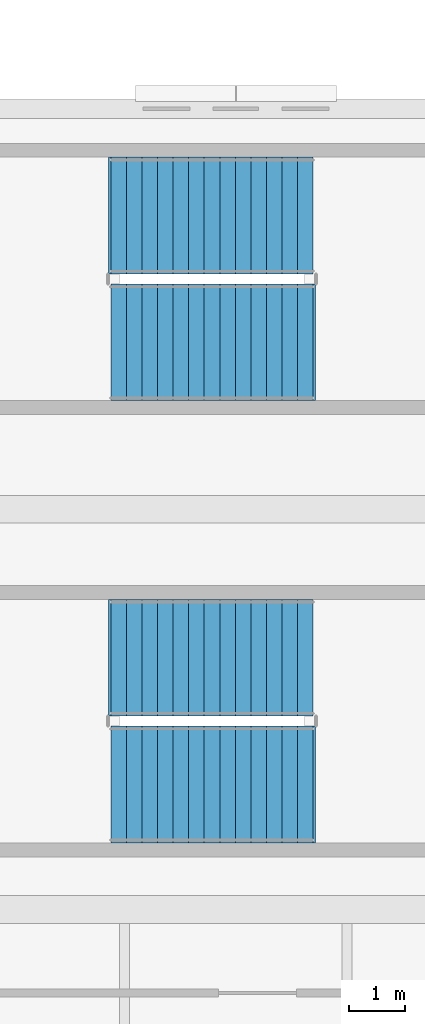
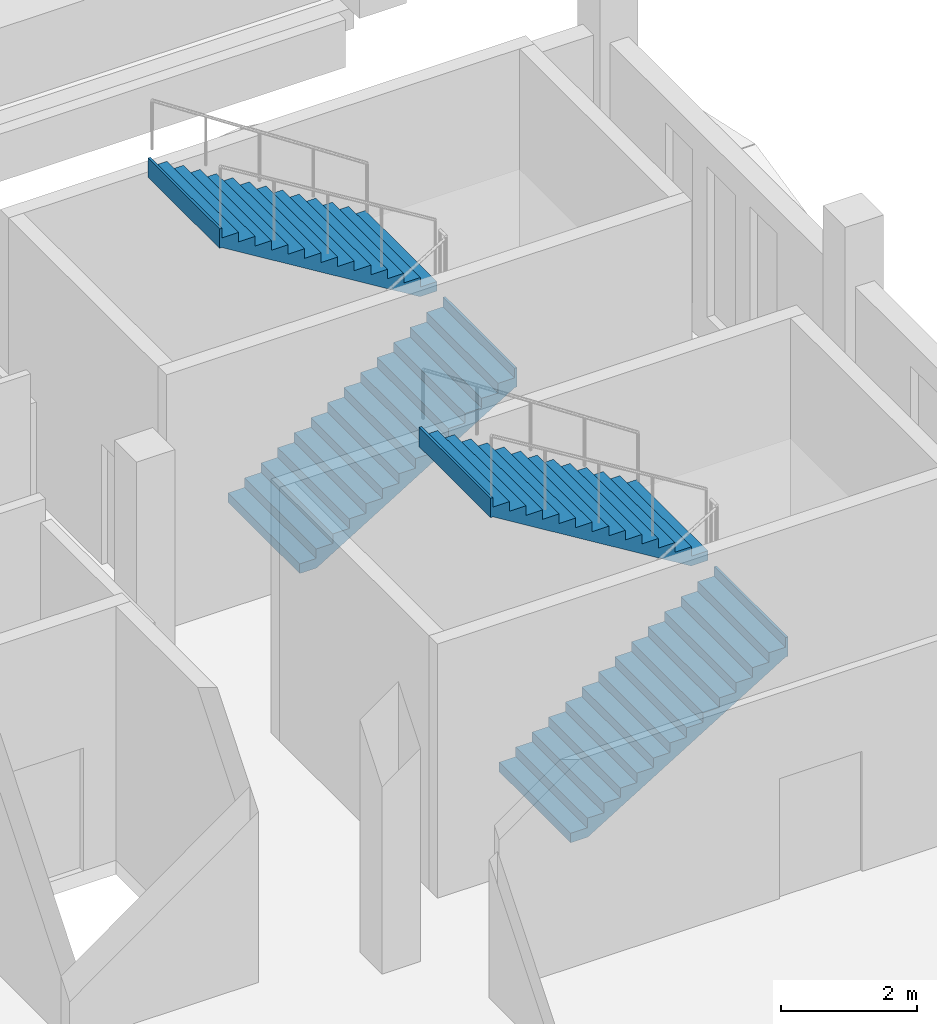
# One storey, part 102 of 116: 4 stair flights, 2 elements without a shape of their own.
"""IFC4 building model written with IfcOpenShell, lengths in metres."""

from ifc_helpers import new_model, si_unit, direction, frame, origin, place, context, subcontext, project, spatial, triangles, material, type_object, element, aggregate, save


model = new_model("IFC4")

# Units and contexts
model_context = context("Model", 3, precision=1e-05, world=origin(), true_north=direction((0.0, 1.0)))
body_context = subcontext(model_context, "Body", "Model", "MODEL_VIEW")
ifc_project = project(units=[si_unit("LENGTHUNIT", "METRE"), si_unit("AREAUNIT", "SQUARE_METRE"), si_unit("VOLUMEUNIT", "CUBIC_METRE"), si_unit("PLANEANGLEUNIT", "RADIAN"), si_unit("MASSUNIT", "GRAM", prefix="KILO")], contexts=[model_context])

# Site, building, storey
site_placement = place(None, origin())
site = spatial("IfcSite", under=ifc_project, at=site_placement, CompositionType="ELEMENT")
building_placement = place(site_placement, origin())
building = spatial("IfcBuilding", under=site, at=building_placement, Name="Cendralis Lancet Convention Centre", CompositionType="ELEMENT")
storey_placement = place(building_placement, frame((0.0, 0.0, 15.0)))
storey = spatial("IfcBuildingStorey", under=building, at=storey_placement, Name="L03", CompositionType="ELEMENT", Elevation=15.0)

# Stair, stair flights
ifc_material = material(Name="Concrete G35 (C35/45)", Category="concrete")
stair_type = type_object("IfcStairType", Name="ARC-ST-CORE", PredefinedType="HALF_TURN_STAIR", material=ifc_material)
stair_1_placement = place(storey_placement, origin())
stair_1 = element("IfcStair", 1, at=stair_1_placement, inside=storey, type_object=stair_type, Name="L03 Protected Exit Stair ST-15", PredefinedType="HALF_TURN_STAIR")
stair_flight_type = type_object("IfcStairFlightType", Name="ARC-SF-CORE", PredefinedType="STRAIGHT", material=ifc_material)
stair_flight_1_placement = place(storey_placement, frame((200.550048828125, 23.85009765625, 0.0), z_axis=(0.0, 0.0, 1.0), x_axis=(1.0, 0.0, 0.0)))
stair_flight_1 = element("IfcStairFlight", 2, at=stair_flight_1_placement, type_object=stair_flight_type, Name="ST-15 flight 1", NumberOfRisers=14, NumberOfTreads=13, PredefinedType="STRAIGHT", RiserHeight=0.171428571, TreadLength=0.28, context=body_context, shape_type="Tessellation", body=[
    triangles([(0.0, 0.0, 0.085714), (0.0, 1.050049, 0.0), (0.0, -1.050049, 0.0), (0.0, -1.050049, 0.171429), (0.0, 1.050049, 0.171429), (0.14, 0.0, 0.171429), (0.28, -1.050049, 0.171429), (0.28, 1.050049, 0.171429), (0.14, 0.0, 0.0), (0.28, -1.050049, 0.0), (0.28, 1.050049, 0.0), (0.28, 0.0, 0.257143), (0.28, -1.050049, 0.342857), (0.28, 1.050049, 0.342857), (0.283543, 0.0, 0.342857), (0.287085, -1.050049, 0.342857), (0.287085, 1.050049, 0.342857), (0.283543, 0.0, 0.0), (0.287085, -1.050049, 0.0), (0.287085, 1.050049, 0.0), (0.423543, 0.0, 0.342857), (0.56, -1.050049, 0.342857), (0.56, 1.050049, 0.342857), (0.423543, 0.0, 0.083545), (0.56, -1.050049, 0.167091), (0.56, 1.050049, 0.167091), (0.56, 0.0, 0.428572), (0.56, -1.050049, 0.514286), (0.56, 1.050049, 0.514286), (0.7, 0.0, 0.514286), (0.84, -1.050049, 0.514286), (0.84, 1.050049, 0.514286), (0.7, 0.0, 0.252806), (0.84, -1.050049, 0.33852), (0.84, 1.050049, 0.33852), (0.84, 0.0, 0.6), (0.84, -1.050049, 0.685714), (0.84, 1.050049, 0.685714), (0.98, 0.0, 0.685714), (1.12, -1.050049, 0.685714), (1.12, 1.050049, 0.685714), (0.98, 0.0, 0.424234), (1.12, -1.050049, 0.509948), (1.12, 1.050049, 0.509948), (1.12, 0.0, 0.771429), (1.12, -1.050049, 0.857143), (1.12, 1.050049, 0.857143), (1.26, 0.0, 0.857143), (1.4, -1.050049, 0.857143), (1.4, 1.050049, 0.857143), (1.26, 0.0, 0.595662), (1.4, -1.050049, 0.681377), (1.4, 1.050049, 0.681377), (1.4, 0.0, 0.942857), (1.4, -1.050049, 1.028571), (1.4, 1.050049, 1.028571), (1.54, 0.0, 1.028571), (1.68, -1.050049, 1.028571), (1.68, 1.050049, 1.028571), (1.54, 0.0, 0.767091), (1.68, -1.050049, 0.852805), (1.68, 1.050049, 0.852805), (1.68, 0.0, 1.114286), (1.68, -1.050049, 1.2), (1.68, 1.050049, 1.2), (1.82, 0.0, 1.2), (1.96, -1.050049, 1.2), (1.96, 1.050049, 1.2), (1.82, 0.0, 0.938519), (1.96, -1.050049, 1.024234), (1.96, 1.050049, 1.024234), (1.96, 0.0, 1.285715), (1.96, -1.050049, 1.371429), (1.96, 1.050049, 1.371429), (2.1, 0.0, 1.371429), (2.24, -1.050049, 1.371429), (2.24, 1.050049, 1.371429), (2.1, 0.0, 1.109948), (2.24, -1.050049, 1.195662), (2.24, 1.050049, 1.195662), (2.24, 0.0, 1.457143), (2.24, -1.050049, 1.542857), (2.24, 1.050049, 1.542857), (2.38, 0.0, 1.542857), (2.52, -1.050049, 1.542857), (2.52, 1.050049, 1.542857), (2.38, 0.0, 1.281376), (2.52, -1.050049, 1.367091), (2.52, 1.050049, 1.367091), (2.52, 0.0, 1.628572), (2.52, -1.050049, 1.714286), (2.52, 1.050049, 1.714286), (2.66, 0.0, 1.714286), (2.8, -1.050049, 1.714286), (2.8, 1.050049, 1.714286), (2.66, 0.0, 1.452806), (2.8, -1.050049, 1.53852), (2.8, 1.050049, 1.53852), (2.8, 0.0, 1.8), (2.8, -1.050049, 1.885714), (2.8, 1.050049, 1.885714), (2.94, 0.0, 1.885714), (3.08, -1.050049, 1.885714), (3.08, 1.050049, 1.885714), (2.94, 0.0, 1.624234), (3.08, -1.050049, 1.709948), (3.08, 1.050049, 1.709948), (3.08, 0.0, 1.971429), (3.08, -1.050049, 2.057143), (3.08, 1.050049, 2.057143), (3.22, 0.0, 2.057143), (3.36, -1.050049, 2.057143), (3.36, 1.050049, 2.057143), (3.22, 0.0, 1.795663), (3.36, -1.050049, 1.881377), (3.36, 1.050049, 1.881377), (3.36, 0.0, 2.142857), (3.36, -1.050049, 2.228571), (3.36, 1.050049, 2.228571), (3.5, 0.0, 2.228571), (3.64, -1.050049, 2.228571), (3.64, 1.050049, 2.228571), (3.5, 0.0, 1.967091), (3.64, -1.050049, 2.052805), (3.64, 1.050049, 2.052805), (3.64, 0.0, 2.314285), (3.64, -1.050049, 2.4), (3.64, 1.050049, 2.4), (3.66, 0.0, 2.4), (3.68, -1.050049, 2.4), (3.68, 1.050049, 2.4), (3.66, 0.0, 2.052805), (3.68, -1.050049, 2.052805), (3.68, 1.050049, 2.052805), (3.68, 0.0, 2.226403)], [[2, 3, 1], [3, 4, 1], [4, 5, 1], [5, 2, 1], [4, 7, 6], [7, 8, 6], [8, 5, 6], [5, 4, 6], [10, 3, 9], [3, 2, 9], [2, 11, 9], [11, 10, 9], [3, 10, 7], [3, 7, 4], [2, 8, 11], [2, 5, 8], [8, 7, 12], [7, 13, 12], [13, 14, 12], [14, 8, 12], [13, 16, 15], [16, 17, 15], [17, 14, 15], [14, 13, 15], [19, 10, 18], [10, 11, 18], [11, 20, 18], [20, 19, 18], [10, 19, 16], [10, 16, 7], [7, 16, 13], [11, 17, 20], [11, 8, 17], [8, 14, 17], [16, 22, 21], [22, 23, 21], [23, 17, 21], [17, 16, 21], [25, 19, 24], [19, 20, 24], [20, 26, 24], [26, 25, 24], [19, 25, 22], [19, 22, 16], [20, 23, 26], [20, 17, 23], [23, 22, 27], [22, 28, 27], [28, 29, 27], [29, 23, 27], [28, 31, 30], [31, 32, 30], [32, 29, 30], [29, 28, 30], [34, 25, 33], [25, 26, 33], [26, 35, 33], [35, 34, 33], [25, 34, 31], [25, 31, 22], [22, 31, 28], [26, 32, 35], [26, 23, 32], [23, 29, 32], [32, 31, 36], [31, 37, 36], [37, 38, 36], [38, 32, 36], [37, 40, 39], [40, 41, 39], [41, 38, 39], [38, 37, 39], [43, 34, 42], [34, 35, 42], [35, 44, 42], [44, 43, 42], [34, 43, 40], [34, 40, 31], [31, 40, 37], [35, 41, 44], [35, 32, 41], [32, 38, 41], [41, 40, 45], [40, 46, 45], [46, 47, 45], [47, 41, 45], [46, 49, 48], [49, 50, 48], [50, 47, 48], [47, 46, 48], [52, 43, 51], [43, 44, 51], [44, 53, 51], [53, 52, 51], [43, 52, 49], [43, 49, 40], [40, 49, 46], [44, 50, 53], [44, 41, 50], [41, 47, 50], [50, 49, 54], [49, 55, 54], [55, 56, 54], [56, 50, 54], [55, 58, 57], [58, 59, 57], [59, 56, 57], [56, 55, 57], [61, 52, 60], [52, 53, 60], [53, 62, 60], [62, 61, 60], [52, 61, 58], [52, 58, 49], [49, 58, 55], [53, 59, 62], [53, 50, 59], [50, 56, 59], [59, 58, 63], [58, 64, 63], [64, 65, 63], [65, 59, 63], [64, 67, 66], [67, 68, 66], [68, 65, 66], [65, 64, 66], [70, 61, 69], [61, 62, 69], [62, 71, 69], [71, 70, 69], [61, 70, 67], [61, 67, 58], [58, 67, 64], [62, 68, 71], [62, 59, 68], [59, 65, 68], [68, 67, 72], [67, 73, 72], [73, 74, 72], [74, 68, 72], [73, 76, 75], [76, 77, 75], [77, 74, 75], [74, 73, 75], [79, 70, 78], [70, 71, 78], [71, 80, 78], [80, 79, 78], [70, 79, 76], [70, 76, 67], [67, 76, 73], [71, 77, 80], [71, 68, 77], [68, 74, 77], [77, 76, 81], [76, 82, 81], [82, 83, 81], [83, 77, 81], [82, 85, 84], [85, 86, 84], [86, 83, 84], [83, 82, 84], [88, 79, 87], [79, 80, 87], [80, 89, 87], [89, 88, 87], [79, 88, 85], [79, 85, 76], [76, 85, 82], [80, 86, 89], [80, 77, 86], [77, 83, 86], [86, 85, 90], [85, 91, 90], [91, 92, 90], [92, 86, 90], [91, 94, 93], [94, 95, 93], [95, 92, 93], [92, 91, 93], [97, 88, 96], [88, 89, 96], [89, 98, 96], [98, 97, 96], [88, 97, 94], [88, 94, 85], [85, 94, 91], [89, 95, 98], [89, 86, 95], [86, 92, 95], [95, 94, 99], [94, 100, 99], [100, 101, 99], [101, 95, 99], [100, 103, 102], [103, 104, 102], [104, 101, 102], [101, 100, 102], [106, 97, 105], [97, 98, 105], [98, 107, 105], [107, 106, 105], [97, 106, 103], [97, 103, 94], [94, 103, 100], [98, 104, 107], [98, 95, 104], [95, 101, 104], [104, 103, 108], [103, 109, 108], [109, 110, 108], [110, 104, 108], [109, 112, 111], [112, 113, 111], [113, 110, 111], [110, 109, 111], [115, 106, 114], [106, 107, 114], [107, 116, 114], [116, 115, 114], [106, 115, 112], [106, 112, 103], [103, 112, 109], [107, 113, 116], [107, 104, 113], [104, 110, 113], [113, 112, 117], [112, 118, 117], [118, 119, 117], [119, 113, 117], [118, 121, 120], [121, 122, 120], [122, 119, 120], [119, 118, 120], [124, 115, 123], [115, 116, 123], [116, 125, 123], [125, 124, 123], [115, 124, 121], [115, 121, 112], [112, 121, 118], [116, 122, 125], [116, 113, 122], [113, 119, 122], [122, 121, 126], [121, 127, 126], [127, 128, 126], [128, 122, 126], [127, 130, 129], [130, 131, 129], [131, 128, 129], [128, 127, 129], [133, 124, 132], [124, 125, 132], [125, 134, 132], [134, 133, 132], [124, 133, 130], [124, 130, 121], [121, 130, 127], [125, 131, 134], [125, 122, 131], [122, 128, 131], [133, 134, 135], [134, 131, 135], [131, 130, 135], [130, 133, 135]], closed=True),
])
stair_flight_2_placement = place(storey_placement, frame((204.18994140625, 26.1298828125, 2.39990234375), z_axis=(0.0, 0.0, 1.0), x_axis=(-1.0, 0.0, 0.0)))
stair_flight_2 = element("IfcStairFlight", 3, at=stair_flight_2_placement, type_object=stair_flight_type, Name="ST-15 flight 2", NumberOfRisers=14, NumberOfTreads=13, PredefinedType="STRAIGHT", RiserHeight=0.171428571, TreadLength=0.28, context=body_context, shape_type="Tessellation", body=[
    triangles([(0.0, 0.0, 0.085714), (0.0, 1.050049, 0.0), (0.0, -1.050049, 0.0), (0.0, -1.050049, 0.171429), (0.0, 1.050049, 0.171429), (0.14, 0.0, 0.171429), (0.28, -1.050049, 0.171429), (0.28, 1.050049, 0.171429), (0.14, 0.0, 0.0), (0.28, -1.050049, 0.0), (0.28, 1.050049, 0.0), (0.28, 0.0, 0.257143), (0.28, -1.050049, 0.342857), (0.28, 1.050049, 0.342857), (0.283543, 0.0, 0.342857), (0.287085, -1.050049, 0.342857), (0.287085, 1.050049, 0.342857), (0.283543, 0.0, 0.0), (0.287085, -1.050049, 0.0), (0.287085, 1.050049, 0.0), (0.423543, 0.0, 0.342857), (0.56, -1.050049, 0.342857), (0.56, 1.050049, 0.342857), (0.423543, 0.0, 0.083545), (0.56, -1.050049, 0.167091), (0.56, 1.050049, 0.167091), (0.56, 0.0, 0.428572), (0.56, -1.050049, 0.514286), (0.56, 1.050049, 0.514286), (0.7, 0.0, 0.514286), (0.84, -1.050049, 0.514286), (0.84, 1.050049, 0.514286), (0.7, 0.0, 0.252806), (0.84, -1.050049, 0.33852), (0.84, 1.050049, 0.33852), (0.84, 0.0, 0.6), (0.84, -1.050049, 0.685714), (0.84, 1.050049, 0.685714), (0.98, 0.0, 0.685714), (1.12, -1.050049, 0.685714), (1.12, 1.050049, 0.685714), (0.98, 0.0, 0.424234), (1.12, -1.050049, 0.509948), (1.12, 1.050049, 0.509948), (1.12, 0.0, 0.771429), (1.12, -1.050049, 0.857143), (1.12, 1.050049, 0.857143), (1.26, 0.0, 0.857143), (1.4, -1.050049, 0.857143), (1.4, 1.050049, 0.857143), (1.26, 0.0, 0.595662), (1.4, -1.050049, 0.681377), (1.4, 1.050049, 0.681377), (1.4, 0.0, 0.942857), (1.4, -1.050049, 1.028571), (1.4, 1.050049, 1.028571), (1.54, 0.0, 1.028571), (1.68, -1.050049, 1.028571), (1.68, 1.050049, 1.028571), (1.54, 0.0, 0.767091), (1.68, -1.050049, 0.852805), (1.68, 1.050049, 0.852805), (1.68, 0.0, 1.114286), (1.68, -1.050049, 1.2), (1.68, 1.050049, 1.2), (1.82, 0.0, 1.2), (1.96, -1.050049, 1.2), (1.96, 1.050049, 1.2), (1.82, 0.0, 0.938519), (1.96, -1.050049, 1.024234), (1.96, 1.050049, 1.024234), (1.96, 0.0, 1.285715), (1.96, -1.050049, 1.371429), (1.96, 1.050049, 1.371429), (2.1, 0.0, 1.371429), (2.24, -1.050049, 1.371429), (2.24, 1.050049, 1.371429), (2.1, 0.0, 1.109948), (2.24, -1.050049, 1.195662), (2.24, 1.050049, 1.195662), (2.24, 0.0, 1.457143), (2.24, -1.050049, 1.542857), (2.24, 1.050049, 1.542857), (2.38, 0.0, 1.542857), (2.52, -1.050049, 1.542857), (2.52, 1.050049, 1.542857), (2.38, 0.0, 1.281376), (2.52, -1.050049, 1.367091), (2.52, 1.050049, 1.367091), (2.52, 0.0, 1.628572), (2.52, -1.050049, 1.714286), (2.52, 1.050049, 1.714286), (2.66, 0.0, 1.714286), (2.8, -1.050049, 1.714286), (2.8, 1.050049, 1.714286), (2.66, 0.0, 1.452806), (2.8, -1.050049, 1.53852), (2.8, 1.050049, 1.53852), (2.8, 0.0, 1.8), (2.8, -1.050049, 1.885714), (2.8, 1.050049, 1.885714), (2.94, 0.0, 1.885714), (3.08, -1.050049, 1.885714), (3.08, 1.050049, 1.885714), (2.94, 0.0, 1.624234), (3.08, -1.050049, 1.709948), (3.08, 1.050049, 1.709948), (3.08, 0.0, 1.971429), (3.08, -1.050049, 2.057143), (3.08, 1.050049, 2.057143), (3.22, 0.0, 2.057143), (3.36, -1.050049, 2.057143), (3.36, 1.050049, 2.057143), (3.22, 0.0, 1.795663), (3.36, -1.050049, 1.881377), (3.36, 1.050049, 1.881377), (3.36, 0.0, 2.142857), (3.36, -1.050049, 2.228571), (3.36, 1.050049, 2.228571), (3.5, 0.0, 2.228571), (3.64, -1.050049, 2.228571), (3.64, 1.050049, 2.228571), (3.5, 0.0, 1.967091), (3.64, -1.050049, 2.052805), (3.64, 1.050049, 2.052805), (3.64, 0.0, 2.314285), (3.64, -1.050049, 2.4), (3.64, 1.050049, 2.4), (3.66, 0.0, 2.4), (3.68, -1.050049, 2.4), (3.68, 1.050049, 2.4), (3.66, 0.0, 2.052805), (3.68, -1.050049, 2.052805), (3.68, 1.050049, 2.052805), (3.68, 0.0, 2.226403)], [[2, 3, 1], [3, 4, 1], [4, 5, 1], [5, 2, 1], [4, 7, 6], [7, 8, 6], [8, 5, 6], [5, 4, 6], [10, 3, 9], [3, 2, 9], [2, 11, 9], [11, 10, 9], [3, 10, 7], [3, 7, 4], [2, 8, 11], [2, 5, 8], [8, 7, 12], [7, 13, 12], [13, 14, 12], [14, 8, 12], [13, 16, 15], [16, 17, 15], [17, 14, 15], [14, 13, 15], [19, 10, 18], [10, 11, 18], [11, 20, 18], [20, 19, 18], [10, 19, 16], [10, 16, 7], [7, 16, 13], [11, 17, 20], [11, 8, 17], [8, 14, 17], [16, 22, 21], [22, 23, 21], [23, 17, 21], [17, 16, 21], [25, 19, 24], [19, 20, 24], [20, 26, 24], [26, 25, 24], [19, 25, 22], [19, 22, 16], [20, 23, 26], [20, 17, 23], [23, 22, 27], [22, 28, 27], [28, 29, 27], [29, 23, 27], [28, 31, 30], [31, 32, 30], [32, 29, 30], [29, 28, 30], [34, 25, 33], [25, 26, 33], [26, 35, 33], [35, 34, 33], [25, 34, 31], [25, 31, 22], [22, 31, 28], [26, 32, 35], [26, 23, 32], [23, 29, 32], [32, 31, 36], [31, 37, 36], [37, 38, 36], [38, 32, 36], [37, 40, 39], [40, 41, 39], [41, 38, 39], [38, 37, 39], [43, 34, 42], [34, 35, 42], [35, 44, 42], [44, 43, 42], [34, 43, 40], [34, 40, 31], [31, 40, 37], [35, 41, 44], [35, 32, 41], [32, 38, 41], [41, 40, 45], [40, 46, 45], [46, 47, 45], [47, 41, 45], [46, 49, 48], [49, 50, 48], [50, 47, 48], [47, 46, 48], [52, 43, 51], [43, 44, 51], [44, 53, 51], [53, 52, 51], [43, 52, 49], [43, 49, 40], [40, 49, 46], [44, 50, 53], [44, 41, 50], [41, 47, 50], [50, 49, 54], [49, 55, 54], [55, 56, 54], [56, 50, 54], [55, 58, 57], [58, 59, 57], [59, 56, 57], [56, 55, 57], [61, 52, 60], [52, 53, 60], [53, 62, 60], [62, 61, 60], [52, 61, 58], [52, 58, 49], [49, 58, 55], [53, 59, 62], [53, 50, 59], [50, 56, 59], [59, 58, 63], [58, 64, 63], [64, 65, 63], [65, 59, 63], [64, 67, 66], [67, 68, 66], [68, 65, 66], [65, 64, 66], [70, 61, 69], [61, 62, 69], [62, 71, 69], [71, 70, 69], [61, 70, 67], [61, 67, 58], [58, 67, 64], [62, 68, 71], [62, 59, 68], [59, 65, 68], [68, 67, 72], [67, 73, 72], [73, 74, 72], [74, 68, 72], [73, 76, 75], [76, 77, 75], [77, 74, 75], [74, 73, 75], [79, 70, 78], [70, 71, 78], [71, 80, 78], [80, 79, 78], [70, 79, 76], [70, 76, 67], [67, 76, 73], [71, 77, 80], [71, 68, 77], [68, 74, 77], [77, 76, 81], [76, 82, 81], [82, 83, 81], [83, 77, 81], [82, 85, 84], [85, 86, 84], [86, 83, 84], [83, 82, 84], [88, 79, 87], [79, 80, 87], [80, 89, 87], [89, 88, 87], [79, 88, 85], [79, 85, 76], [76, 85, 82], [80, 86, 89], [80, 77, 86], [77, 83, 86], [86, 85, 90], [85, 91, 90], [91, 92, 90], [92, 86, 90], [91, 94, 93], [94, 95, 93], [95, 92, 93], [92, 91, 93], [97, 88, 96], [88, 89, 96], [89, 98, 96], [98, 97, 96], [88, 97, 94], [88, 94, 85], [85, 94, 91], [89, 95, 98], [89, 86, 95], [86, 92, 95], [95, 94, 99], [94, 100, 99], [100, 101, 99], [101, 95, 99], [100, 103, 102], [103, 104, 102], [104, 101, 102], [101, 100, 102], [106, 97, 105], [97, 98, 105], [98, 107, 105], [107, 106, 105], [97, 106, 103], [97, 103, 94], [94, 103, 100], [98, 104, 107], [98, 95, 104], [95, 101, 104], [104, 103, 108], [103, 109, 108], [109, 110, 108], [110, 104, 108], [109, 112, 111], [112, 113, 111], [113, 110, 111], [110, 109, 111], [115, 106, 114], [106, 107, 114], [107, 116, 114], [116, 115, 114], [106, 115, 112], [106, 112, 103], [103, 112, 109], [107, 113, 116], [107, 104, 113], [104, 110, 113], [113, 112, 117], [112, 118, 117], [118, 119, 117], [119, 113, 117], [118, 121, 120], [121, 122, 120], [122, 119, 120], [119, 118, 120], [124, 115, 123], [115, 116, 123], [116, 125, 123], [125, 124, 123], [115, 124, 121], [115, 121, 112], [112, 121, 118], [116, 122, 125], [116, 113, 122], [113, 119, 122], [122, 121, 126], [121, 127, 126], [127, 128, 126], [128, 122, 126], [127, 130, 129], [130, 131, 129], [131, 128, 129], [128, 127, 129], [133, 124, 132], [124, 125, 132], [125, 134, 132], [134, 133, 132], [124, 133, 130], [124, 130, 121], [121, 130, 127], [125, 131, 134], [125, 122, 131], [122, 128, 131], [133, 134, 135], [134, 131, 135], [131, 130, 135], [130, 133, 135]], closed=True),
])
aggregate(stair_1, [stair_flight_1, stair_flight_2])

stair_2_placement = place(storey_placement, origin())
stair_2 = element("IfcStair", 4, at=stair_2_placement, inside=storey, type_object=stair_type, Name="L03 Protected Exit Stair ST-16", PredefinedType="HALF_TURN_STAIR")
stair_flight_3_placement = place(storey_placement, frame((200.550048828125, 31.800048828125, 0.0), z_axis=(0.0, 0.0, 1.0), x_axis=(1.0, 0.0, 0.0)))
stair_flight_3 = element("IfcStairFlight", 5, at=stair_flight_3_placement, type_object=stair_flight_type, Name="ST-16 flight 1", NumberOfRisers=14, NumberOfTreads=13, PredefinedType="STRAIGHT", RiserHeight=0.171428571, TreadLength=0.28, context=body_context, shape_type="Tessellation", body=[
    triangles([(0.0, 0.0, 0.085714), (0.0, 1.050049, 0.0), (0.0, -1.050049, 0.0), (0.0, -1.050049, 0.171429), (0.0, 1.050049, 0.171429), (0.14, 0.0, 0.171429), (0.28, -1.050049, 0.171429), (0.28, 1.050049, 0.171429), (0.14, 0.0, 0.0), (0.28, -1.050049, 0.0), (0.28, 1.050049, 0.0), (0.28, 0.0, 0.257143), (0.28, -1.050049, 0.342857), (0.28, 1.050049, 0.342857), (0.283543, 0.0, 0.342857), (0.287085, -1.050049, 0.342857), (0.287085, 1.050049, 0.342857), (0.283543, 0.0, 0.0), (0.287085, -1.050049, 0.0), (0.287085, 1.050049, 0.0), (0.423543, 0.0, 0.342857), (0.56, -1.050049, 0.342857), (0.56, 1.050049, 0.342857), (0.423543, 0.0, 0.083545), (0.56, -1.050049, 0.167091), (0.56, 1.050049, 0.167091), (0.56, 0.0, 0.428572), (0.56, -1.050049, 0.514286), (0.56, 1.050049, 0.514286), (0.7, 0.0, 0.514286), (0.84, -1.050049, 0.514286), (0.84, 1.050049, 0.514286), (0.7, 0.0, 0.252806), (0.84, -1.050049, 0.33852), (0.84, 1.050049, 0.33852), (0.84, 0.0, 0.6), (0.84, -1.050049, 0.685714), (0.84, 1.050049, 0.685714), (0.98, 0.0, 0.685714), (1.12, -1.050049, 0.685714), (1.12, 1.050049, 0.685714), (0.98, 0.0, 0.424234), (1.12, -1.050049, 0.509948), (1.12, 1.050049, 0.509948), (1.12, 0.0, 0.771429), (1.12, -1.050049, 0.857143), (1.12, 1.050049, 0.857143), (1.26, 0.0, 0.857143), (1.4, -1.050049, 0.857143), (1.4, 1.050049, 0.857143), (1.26, 0.0, 0.595662), (1.4, -1.050049, 0.681377), (1.4, 1.050049, 0.681377), (1.4, 0.0, 0.942857), (1.4, -1.050049, 1.028571), (1.4, 1.050049, 1.028571), (1.54, 0.0, 1.028571), (1.68, -1.050049, 1.028571), (1.68, 1.050049, 1.028571), (1.54, 0.0, 0.767091), (1.68, -1.050049, 0.852805), (1.68, 1.050049, 0.852805), (1.68, 0.0, 1.114286), (1.68, -1.050049, 1.2), (1.68, 1.050049, 1.2), (1.82, 0.0, 1.2), (1.96, -1.050049, 1.2), (1.96, 1.050049, 1.2), (1.82, 0.0, 0.938519), (1.96, -1.050049, 1.024234), (1.96, 1.050049, 1.024234), (1.96, 0.0, 1.285715), (1.96, -1.050049, 1.371429), (1.96, 1.050049, 1.371429), (2.1, 0.0, 1.371429), (2.24, -1.050049, 1.371429), (2.24, 1.050049, 1.371429), (2.1, 0.0, 1.109948), (2.24, -1.050049, 1.195662), (2.24, 1.050049, 1.195662), (2.24, 0.0, 1.457143), (2.24, -1.050049, 1.542857), (2.24, 1.050049, 1.542857), (2.38, 0.0, 1.542857), (2.52, -1.050049, 1.542857), (2.52, 1.050049, 1.542857), (2.38, 0.0, 1.281376), (2.52, -1.050049, 1.367091), (2.52, 1.050049, 1.367091), (2.52, 0.0, 1.628572), (2.52, -1.050049, 1.714286), (2.52, 1.050049, 1.714286), (2.66, 0.0, 1.714286), (2.8, -1.050049, 1.714286), (2.8, 1.050049, 1.714286), (2.66, 0.0, 1.452806), (2.8, -1.050049, 1.53852), (2.8, 1.050049, 1.53852), (2.8, 0.0, 1.8), (2.8, -1.050049, 1.885714), (2.8, 1.050049, 1.885714), (2.94, 0.0, 1.885714), (3.08, -1.050049, 1.885714), (3.08, 1.050049, 1.885714), (2.94, 0.0, 1.624234), (3.08, -1.050049, 1.709948), (3.08, 1.050049, 1.709948), (3.08, 0.0, 1.971429), (3.08, -1.050049, 2.057143), (3.08, 1.050049, 2.057143), (3.22, 0.0, 2.057143), (3.36, -1.050049, 2.057143), (3.36, 1.050049, 2.057143), (3.22, 0.0, 1.795663), (3.36, -1.050049, 1.881377), (3.36, 1.050049, 1.881377), (3.36, 0.0, 2.142857), (3.36, -1.050049, 2.228571), (3.36, 1.050049, 2.228571), (3.5, 0.0, 2.228571), (3.64, -1.050049, 2.228571), (3.64, 1.050049, 2.228571), (3.5, 0.0, 1.967091), (3.64, -1.050049, 2.052805), (3.64, 1.050049, 2.052805), (3.64, 0.0, 2.314285), (3.64, -1.050049, 2.4), (3.64, 1.050049, 2.4), (3.66, 0.0, 2.4), (3.68, -1.050049, 2.4), (3.68, 1.050049, 2.4), (3.66, 0.0, 2.052805), (3.68, -1.050049, 2.052805), (3.68, 1.050049, 2.052805), (3.68, 0.0, 2.226403)], [[2, 3, 1], [3, 4, 1], [4, 5, 1], [5, 2, 1], [4, 7, 6], [7, 8, 6], [8, 5, 6], [5, 4, 6], [10, 3, 9], [3, 2, 9], [2, 11, 9], [11, 10, 9], [3, 10, 7], [3, 7, 4], [2, 8, 11], [2, 5, 8], [8, 7, 12], [7, 13, 12], [13, 14, 12], [14, 8, 12], [13, 16, 15], [16, 17, 15], [17, 14, 15], [14, 13, 15], [19, 10, 18], [10, 11, 18], [11, 20, 18], [20, 19, 18], [10, 19, 16], [10, 16, 7], [7, 16, 13], [11, 17, 20], [11, 8, 17], [8, 14, 17], [16, 22, 21], [22, 23, 21], [23, 17, 21], [17, 16, 21], [25, 19, 24], [19, 20, 24], [20, 26, 24], [26, 25, 24], [19, 25, 22], [19, 22, 16], [20, 23, 26], [20, 17, 23], [23, 22, 27], [22, 28, 27], [28, 29, 27], [29, 23, 27], [28, 31, 30], [31, 32, 30], [32, 29, 30], [29, 28, 30], [34, 25, 33], [25, 26, 33], [26, 35, 33], [35, 34, 33], [25, 34, 31], [25, 31, 22], [22, 31, 28], [26, 32, 35], [26, 23, 32], [23, 29, 32], [32, 31, 36], [31, 37, 36], [37, 38, 36], [38, 32, 36], [37, 40, 39], [40, 41, 39], [41, 38, 39], [38, 37, 39], [43, 34, 42], [34, 35, 42], [35, 44, 42], [44, 43, 42], [34, 43, 40], [34, 40, 31], [31, 40, 37], [35, 41, 44], [35, 32, 41], [32, 38, 41], [41, 40, 45], [40, 46, 45], [46, 47, 45], [47, 41, 45], [46, 49, 48], [49, 50, 48], [50, 47, 48], [47, 46, 48], [52, 43, 51], [43, 44, 51], [44, 53, 51], [53, 52, 51], [43, 52, 49], [43, 49, 40], [40, 49, 46], [44, 50, 53], [44, 41, 50], [41, 47, 50], [50, 49, 54], [49, 55, 54], [55, 56, 54], [56, 50, 54], [55, 58, 57], [58, 59, 57], [59, 56, 57], [56, 55, 57], [61, 52, 60], [52, 53, 60], [53, 62, 60], [62, 61, 60], [52, 61, 58], [52, 58, 49], [49, 58, 55], [53, 59, 62], [53, 50, 59], [50, 56, 59], [59, 58, 63], [58, 64, 63], [64, 65, 63], [65, 59, 63], [64, 67, 66], [67, 68, 66], [68, 65, 66], [65, 64, 66], [70, 61, 69], [61, 62, 69], [62, 71, 69], [71, 70, 69], [61, 70, 67], [61, 67, 58], [58, 67, 64], [62, 68, 71], [62, 59, 68], [59, 65, 68], [68, 67, 72], [67, 73, 72], [73, 74, 72], [74, 68, 72], [73, 76, 75], [76, 77, 75], [77, 74, 75], [74, 73, 75], [79, 70, 78], [70, 71, 78], [71, 80, 78], [80, 79, 78], [70, 79, 76], [70, 76, 67], [67, 76, 73], [71, 77, 80], [71, 68, 77], [68, 74, 77], [77, 76, 81], [76, 82, 81], [82, 83, 81], [83, 77, 81], [82, 85, 84], [85, 86, 84], [86, 83, 84], [83, 82, 84], [88, 79, 87], [79, 80, 87], [80, 89, 87], [89, 88, 87], [79, 88, 85], [79, 85, 76], [76, 85, 82], [80, 86, 89], [80, 77, 86], [77, 83, 86], [86, 85, 90], [85, 91, 90], [91, 92, 90], [92, 86, 90], [91, 94, 93], [94, 95, 93], [95, 92, 93], [92, 91, 93], [97, 88, 96], [88, 89, 96], [89, 98, 96], [98, 97, 96], [88, 97, 94], [88, 94, 85], [85, 94, 91], [89, 95, 98], [89, 86, 95], [86, 92, 95], [95, 94, 99], [94, 100, 99], [100, 101, 99], [101, 95, 99], [100, 103, 102], [103, 104, 102], [104, 101, 102], [101, 100, 102], [106, 97, 105], [97, 98, 105], [98, 107, 105], [107, 106, 105], [97, 106, 103], [97, 103, 94], [94, 103, 100], [98, 104, 107], [98, 95, 104], [95, 101, 104], [104, 103, 108], [103, 109, 108], [109, 110, 108], [110, 104, 108], [109, 112, 111], [112, 113, 111], [113, 110, 111], [110, 109, 111], [115, 106, 114], [106, 107, 114], [107, 116, 114], [116, 115, 114], [106, 115, 112], [106, 112, 103], [103, 112, 109], [107, 113, 116], [107, 104, 113], [104, 110, 113], [113, 112, 117], [112, 118, 117], [118, 119, 117], [119, 113, 117], [118, 121, 120], [121, 122, 120], [122, 119, 120], [119, 118, 120], [124, 115, 123], [115, 116, 123], [116, 125, 123], [125, 124, 123], [115, 124, 121], [115, 121, 112], [112, 121, 118], [116, 122, 125], [116, 113, 122], [113, 119, 122], [122, 121, 126], [121, 127, 126], [127, 128, 126], [128, 122, 126], [127, 130, 129], [130, 131, 129], [131, 128, 129], [128, 127, 129], [133, 124, 132], [124, 125, 132], [125, 134, 132], [134, 133, 132], [124, 133, 130], [124, 130, 121], [121, 130, 127], [125, 131, 134], [125, 122, 131], [122, 128, 131], [133, 134, 135], [134, 131, 135], [131, 130, 135], [130, 133, 135]], closed=True),
])
stair_flight_4_placement = place(storey_placement, frame((204.18994140625, 34.080078125, 2.39990234375), z_axis=(0.0, 0.0, 1.0), x_axis=(-1.0, 0.0, 0.0)))
stair_flight_4 = element("IfcStairFlight", 6, at=stair_flight_4_placement, type_object=stair_flight_type, Name="ST-16 flight 2", NumberOfRisers=14, NumberOfTreads=13, PredefinedType="STRAIGHT", RiserHeight=0.171428571, TreadLength=0.28, context=body_context, shape_type="Tessellation", body=[
    triangles([(0.0, 0.0, 0.085714), (0.0, 1.050049, 0.0), (0.0, -1.050049, 0.0), (0.0, -1.050049, 0.171429), (0.0, 1.050049, 0.171429), (0.14, 0.0, 0.171429), (0.28, -1.050049, 0.171429), (0.28, 1.050049, 0.171429), (0.14, 0.0, 0.0), (0.28, -1.050049, 0.0), (0.28, 1.050049, 0.0), (0.28, 0.0, 0.257143), (0.28, -1.050049, 0.342857), (0.28, 1.050049, 0.342857), (0.283543, 0.0, 0.342857), (0.287085, -1.050049, 0.342857), (0.287085, 1.050049, 0.342857), (0.283543, 0.0, 0.0), (0.287085, -1.050049, 0.0), (0.287085, 1.050049, 0.0), (0.423543, 0.0, 0.342857), (0.56, -1.050049, 0.342857), (0.56, 1.050049, 0.342857), (0.423543, 0.0, 0.083545), (0.56, -1.050049, 0.167091), (0.56, 1.050049, 0.167091), (0.56, 0.0, 0.428572), (0.56, -1.050049, 0.514286), (0.56, 1.050049, 0.514286), (0.7, 0.0, 0.514286), (0.84, -1.050049, 0.514286), (0.84, 1.050049, 0.514286), (0.7, 0.0, 0.252806), (0.84, -1.050049, 0.33852), (0.84, 1.050049, 0.33852), (0.84, 0.0, 0.6), (0.84, -1.050049, 0.685714), (0.84, 1.050049, 0.685714), (0.98, 0.0, 0.685714), (1.12, -1.050049, 0.685714), (1.12, 1.050049, 0.685714), (0.98, 0.0, 0.424234), (1.12, -1.050049, 0.509948), (1.12, 1.050049, 0.509948), (1.12, 0.0, 0.771429), (1.12, -1.050049, 0.857143), (1.12, 1.050049, 0.857143), (1.26, 0.0, 0.857143), (1.4, -1.050049, 0.857143), (1.4, 1.050049, 0.857143), (1.26, 0.0, 0.595662), (1.4, -1.050049, 0.681377), (1.4, 1.050049, 0.681377), (1.4, 0.0, 0.942857), (1.4, -1.050049, 1.028571), (1.4, 1.050049, 1.028571), (1.54, 0.0, 1.028571), (1.68, -1.050049, 1.028571), (1.68, 1.050049, 1.028571), (1.54, 0.0, 0.767091), (1.68, -1.050049, 0.852805), (1.68, 1.050049, 0.852805), (1.68, 0.0, 1.114286), (1.68, -1.050049, 1.2), (1.68, 1.050049, 1.2), (1.82, 0.0, 1.2), (1.96, -1.050049, 1.2), (1.96, 1.050049, 1.2), (1.82, 0.0, 0.938519), (1.96, -1.050049, 1.024234), (1.96, 1.050049, 1.024234), (1.96, 0.0, 1.285715), (1.96, -1.050049, 1.371429), (1.96, 1.050049, 1.371429), (2.1, 0.0, 1.371429), (2.24, -1.050049, 1.371429), (2.24, 1.050049, 1.371429), (2.1, 0.0, 1.109948), (2.24, -1.050049, 1.195662), (2.24, 1.050049, 1.195662), (2.24, 0.0, 1.457143), (2.24, -1.050049, 1.542857), (2.24, 1.050049, 1.542857), (2.38, 0.0, 1.542857), (2.52, -1.050049, 1.542857), (2.52, 1.050049, 1.542857), (2.38, 0.0, 1.281376), (2.52, -1.050049, 1.367091), (2.52, 1.050049, 1.367091), (2.52, 0.0, 1.628572), (2.52, -1.050049, 1.714286), (2.52, 1.050049, 1.714286), (2.66, 0.0, 1.714286), (2.8, -1.050049, 1.714286), (2.8, 1.050049, 1.714286), (2.66, 0.0, 1.452806), (2.8, -1.050049, 1.53852), (2.8, 1.050049, 1.53852), (2.8, 0.0, 1.8), (2.8, -1.050049, 1.885714), (2.8, 1.050049, 1.885714), (2.94, 0.0, 1.885714), (3.08, -1.050049, 1.885714), (3.08, 1.050049, 1.885714), (2.94, 0.0, 1.624234), (3.08, -1.050049, 1.709948), (3.08, 1.050049, 1.709948), (3.08, 0.0, 1.971429), (3.08, -1.050049, 2.057143), (3.08, 1.050049, 2.057143), (3.22, 0.0, 2.057143), (3.36, -1.050049, 2.057143), (3.36, 1.050049, 2.057143), (3.22, 0.0, 1.795663), (3.36, -1.050049, 1.881377), (3.36, 1.050049, 1.881377), (3.36, 0.0, 2.142857), (3.36, -1.050049, 2.228571), (3.36, 1.050049, 2.228571), (3.5, 0.0, 2.228571), (3.64, -1.050049, 2.228571), (3.64, 1.050049, 2.228571), (3.5, 0.0, 1.967091), (3.64, -1.050049, 2.052805), (3.64, 1.050049, 2.052805), (3.64, 0.0, 2.314285), (3.64, -1.050049, 2.4), (3.64, 1.050049, 2.4), (3.66, 0.0, 2.4), (3.68, -1.050049, 2.4), (3.68, 1.050049, 2.4), (3.66, 0.0, 2.052805), (3.68, -1.050049, 2.052805), (3.68, 1.050049, 2.052805), (3.68, 0.0, 2.226403)], [[2, 3, 1], [3, 4, 1], [4, 5, 1], [5, 2, 1], [4, 7, 6], [7, 8, 6], [8, 5, 6], [5, 4, 6], [10, 3, 9], [3, 2, 9], [2, 11, 9], [11, 10, 9], [3, 10, 7], [3, 7, 4], [2, 8, 11], [2, 5, 8], [8, 7, 12], [7, 13, 12], [13, 14, 12], [14, 8, 12], [13, 16, 15], [16, 17, 15], [17, 14, 15], [14, 13, 15], [19, 10, 18], [10, 11, 18], [11, 20, 18], [20, 19, 18], [10, 19, 16], [10, 16, 7], [7, 16, 13], [11, 17, 20], [11, 8, 17], [8, 14, 17], [16, 22, 21], [22, 23, 21], [23, 17, 21], [17, 16, 21], [25, 19, 24], [19, 20, 24], [20, 26, 24], [26, 25, 24], [19, 25, 22], [19, 22, 16], [20, 23, 26], [20, 17, 23], [23, 22, 27], [22, 28, 27], [28, 29, 27], [29, 23, 27], [28, 31, 30], [31, 32, 30], [32, 29, 30], [29, 28, 30], [34, 25, 33], [25, 26, 33], [26, 35, 33], [35, 34, 33], [25, 34, 31], [25, 31, 22], [22, 31, 28], [26, 32, 35], [26, 23, 32], [23, 29, 32], [32, 31, 36], [31, 37, 36], [37, 38, 36], [38, 32, 36], [37, 40, 39], [40, 41, 39], [41, 38, 39], [38, 37, 39], [43, 34, 42], [34, 35, 42], [35, 44, 42], [44, 43, 42], [34, 43, 40], [34, 40, 31], [31, 40, 37], [35, 41, 44], [35, 32, 41], [32, 38, 41], [41, 40, 45], [40, 46, 45], [46, 47, 45], [47, 41, 45], [46, 49, 48], [49, 50, 48], [50, 47, 48], [47, 46, 48], [52, 43, 51], [43, 44, 51], [44, 53, 51], [53, 52, 51], [43, 52, 49], [43, 49, 40], [40, 49, 46], [44, 50, 53], [44, 41, 50], [41, 47, 50], [50, 49, 54], [49, 55, 54], [55, 56, 54], [56, 50, 54], [55, 58, 57], [58, 59, 57], [59, 56, 57], [56, 55, 57], [61, 52, 60], [52, 53, 60], [53, 62, 60], [62, 61, 60], [52, 61, 58], [52, 58, 49], [49, 58, 55], [53, 59, 62], [53, 50, 59], [50, 56, 59], [59, 58, 63], [58, 64, 63], [64, 65, 63], [65, 59, 63], [64, 67, 66], [67, 68, 66], [68, 65, 66], [65, 64, 66], [70, 61, 69], [61, 62, 69], [62, 71, 69], [71, 70, 69], [61, 70, 67], [61, 67, 58], [58, 67, 64], [62, 68, 71], [62, 59, 68], [59, 65, 68], [68, 67, 72], [67, 73, 72], [73, 74, 72], [74, 68, 72], [73, 76, 75], [76, 77, 75], [77, 74, 75], [74, 73, 75], [79, 70, 78], [70, 71, 78], [71, 80, 78], [80, 79, 78], [70, 79, 76], [70, 76, 67], [67, 76, 73], [71, 77, 80], [71, 68, 77], [68, 74, 77], [77, 76, 81], [76, 82, 81], [82, 83, 81], [83, 77, 81], [82, 85, 84], [85, 86, 84], [86, 83, 84], [83, 82, 84], [88, 79, 87], [79, 80, 87], [80, 89, 87], [89, 88, 87], [79, 88, 85], [79, 85, 76], [76, 85, 82], [80, 86, 89], [80, 77, 86], [77, 83, 86], [86, 85, 90], [85, 91, 90], [91, 92, 90], [92, 86, 90], [91, 94, 93], [94, 95, 93], [95, 92, 93], [92, 91, 93], [97, 88, 96], [88, 89, 96], [89, 98, 96], [98, 97, 96], [88, 97, 94], [88, 94, 85], [85, 94, 91], [89, 95, 98], [89, 86, 95], [86, 92, 95], [95, 94, 99], [94, 100, 99], [100, 101, 99], [101, 95, 99], [100, 103, 102], [103, 104, 102], [104, 101, 102], [101, 100, 102], [106, 97, 105], [97, 98, 105], [98, 107, 105], [107, 106, 105], [97, 106, 103], [97, 103, 94], [94, 103, 100], [98, 104, 107], [98, 95, 104], [95, 101, 104], [104, 103, 108], [103, 109, 108], [109, 110, 108], [110, 104, 108], [109, 112, 111], [112, 113, 111], [113, 110, 111], [110, 109, 111], [115, 106, 114], [106, 107, 114], [107, 116, 114], [116, 115, 114], [106, 115, 112], [106, 112, 103], [103, 112, 109], [107, 113, 116], [107, 104, 113], [104, 110, 113], [113, 112, 117], [112, 118, 117], [118, 119, 117], [119, 113, 117], [118, 121, 120], [121, 122, 120], [122, 119, 120], [119, 118, 120], [124, 115, 123], [115, 116, 123], [116, 125, 123], [125, 124, 123], [115, 124, 121], [115, 121, 112], [112, 121, 118], [116, 122, 125], [116, 113, 122], [113, 119, 122], [122, 121, 126], [121, 127, 126], [127, 128, 126], [128, 122, 126], [127, 130, 129], [130, 131, 129], [131, 128, 129], [128, 127, 129], [133, 124, 132], [124, 125, 132], [125, 134, 132], [134, 133, 132], [124, 133, 130], [124, 130, 121], [121, 130, 127], [125, 131, 134], [125, 122, 131], [122, 128, 131], [133, 134, 135], [134, 131, 135], [131, 130, 135], [130, 133, 135]], closed=True),
])
aggregate(stair_2, [stair_flight_3, stair_flight_4])

save(model, "model.ifc")
